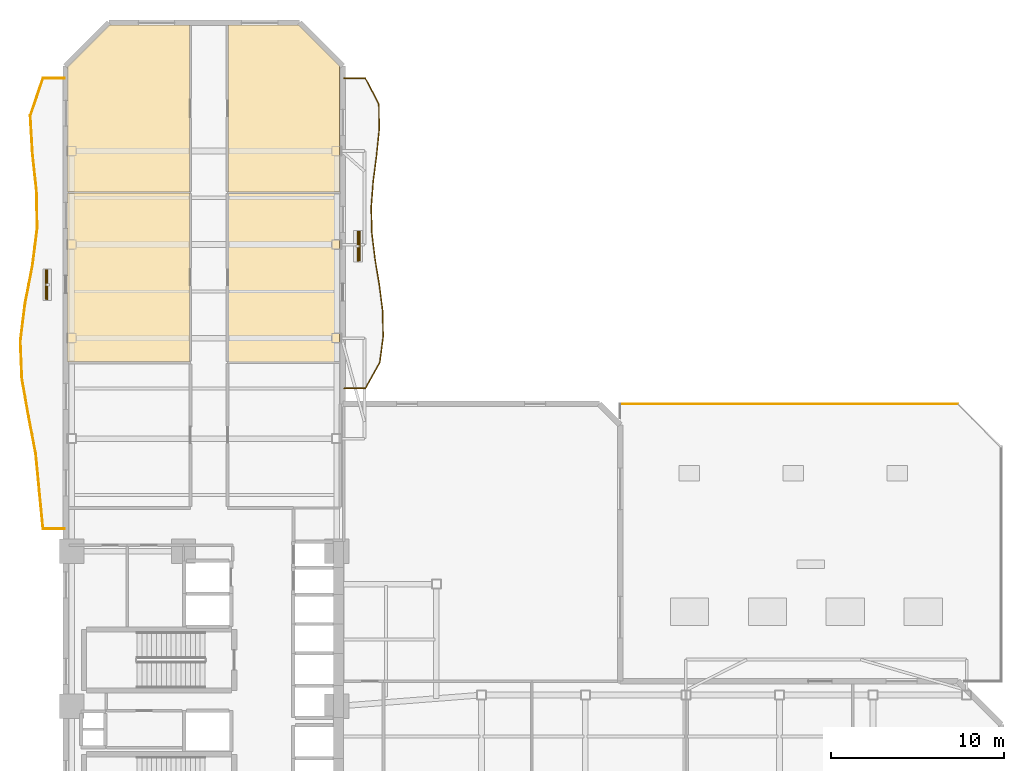
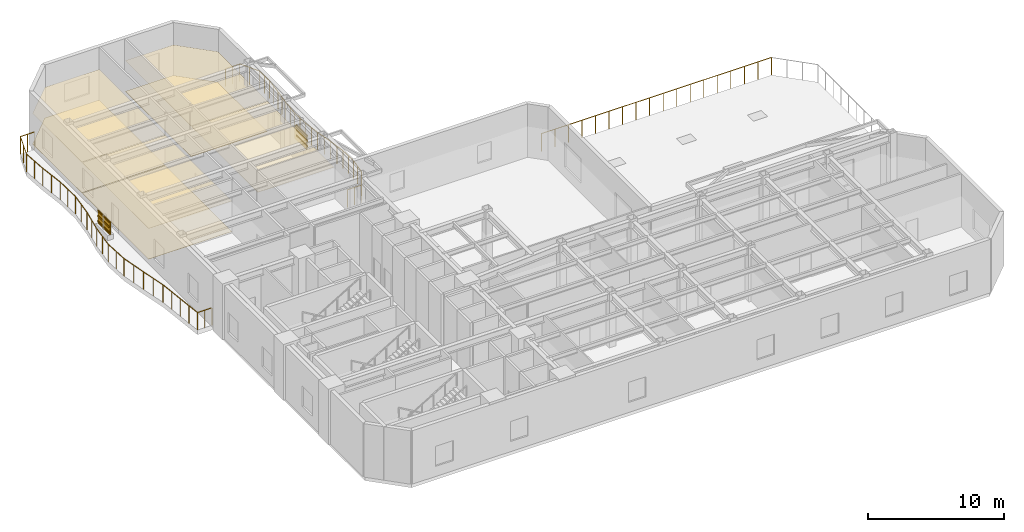
# One storey, part 10 of 10: 8 shading devices, 7 coverings, 3 railings.
"""IFC4 building model written with IfcOpenShell, lengths in metres."""

from ifc_helpers import new_model, si_unit, direction, frame, origin, origin_2d, place, context, subcontext, project, spatial, polyline, rectangle, outline, extrude, material, layer, layer_set, material_profile, profile_set, type_object, element, save


model = new_model("IFC4")

# Units and contexts
model_context = context("Model", 3, precision=1e-05, world=origin(), true_north=direction((0.0, 1.0)))
body_context = subcontext(model_context, "Body", "Model", "MODEL_VIEW")
ifc_project = project(units=[si_unit("LENGTHUNIT", "METRE"), si_unit("AREAUNIT", "SQUARE_METRE"), si_unit("VOLUMEUNIT", "CUBIC_METRE"), si_unit("PLANEANGLEUNIT", "RADIAN"), si_unit("MASSUNIT", "GRAM", prefix="KILO")], contexts=[model_context])

# Site, building, storey
site_placement = place(None, origin())
site = spatial("IfcSite", under=ifc_project, at=site_placement, CompositionType="ELEMENT")
building_placement = place(site_placement, origin())
building = spatial("IfcBuilding", under=site, at=building_placement, Name="Mawjaban Terraces University", CompositionType="ELEMENT")
storey_placement = place(building_placement, frame((0.0, 0.0, 26.0)))
storey = spatial("IfcBuildingStorey", under=building, at=storey_placement, Name="L05", CompositionType="ELEMENT", Elevation=26.0)

# Coverings
ifc_material_1 = material(Name="Acoustic mineral fibre ceiling tile", Category="masonry")
ifc_layer_1 = layer(ifc_material_1, 0.02001953125)
ifc_layer_set_1 = layer_set([ifc_layer_1], Name="Acoustic mineral fibre ceiling tile")
covering_type_1 = type_object("IfcCoveringType", Name="AcousticMineralCeiling_20", PredefinedType="CEILING", material=ifc_layer_set_1)
covering_1_placement = place(storey_placement, frame((0.0, 0.0, 2.75)))
element("IfcCovering", 1, at=covering_1_placement, inside=storey, type_object=covering_type_1, Name="L05 Quiet Reading Room 12 Acoustic Ceiling", PredefinedType="CEILING", context=body_context, shape_type="SweptSolid", body=[
    extrude(outline(polyline([(22.114990234375, 44.169921875), (22.114990234375, 34.429931640625), (29.169921875, 34.429931640625), (29.169921875, 44.169921875), (22.114990234375, 44.169921875)])), origin(), (0.0, 0.0, 1.0), 0.02001953125),
])
covering_2_placement = place(storey_placement, frame((0.0, 0.0, 2.75)))
element("IfcCovering", 2, at=covering_2_placement, inside=storey, type_object=covering_type_1, Name="L05 Collaborative Study Room 13 Acoustic Ceiling", PredefinedType="CEILING", context=body_context, shape_type="SweptSolid", body=[
    extrude(outline(polyline([(37.820068359375, 34.429931640625), (37.820068359375, 44.169921875), (31.3798828125, 44.169921875), (31.3798828125, 34.429931640625), (37.820068359375, 34.429931640625)])), origin(), (0.0, 0.0, 1.0), 0.02001953125),
])
covering_3_placement = place(storey_placement, frame((0.0, 0.0, 2.75)))
element("IfcCovering", 3, at=covering_3_placement, inside=storey, type_object=covering_type_1, Name="L05 Classroom 14 Acoustic Ceiling", PredefinedType="CEILING", context=body_context, shape_type="SweptSolid", body=[
    extrude(outline(polyline([(29.169921875, 53.885009765625), (24.547119140625, 53.885009765625), (22.114990234375, 51.452880859375), (22.114990234375, 44.22998046875), (29.169921875, 44.22998046875), (29.169921875, 53.885009765625)])), origin(), (0.0, 0.0, 1.0), 0.02001953125),
])
covering_4_placement = place(storey_placement, frame((0.0, 0.0, 2.75)))
element("IfcCovering", 4, at=covering_4_placement, inside=storey, type_object=covering_type_1, Name="L05 Seminar Room 15 Acoustic Ceiling", PredefinedType="CEILING", context=body_context, shape_type="SweptSolid", body=[
    extrude(outline(polyline([(37.820068359375, 51.51806640625), (35.452880859375, 53.885009765625), (31.3798828125, 53.885009765625), (31.3798828125, 44.22998046875), (37.820068359375, 44.22998046875), (37.820068359375, 51.51806640625)])), origin(), (0.0, 0.0, 1.0), 0.02001953125),
])

# Railings
ifc_material_2 = material(Name="Galvanised powder-coated steel S355", Category="steel")
railing_type = type_object("IfcRailingType", Name="BalconyBalustrade_1600", PredefinedType="BALUSTRADE", material=ifc_material_2)
railing_1_placement = place(storey_placement, frame((21.919921875, 24.800048828125, 0.0)))
element("IfcRailing", 5, at=railing_1_placement, inside=storey, type_object=railing_type, Name="L05 Balcony Guardrail west", PredefinedType="BALUSTRADE", context=body_context, shape_type="SweptSolid", body=[
    extrude(rectangle(XDim=0.048095703125, YDim=0.048095703125, at=origin_2d()), frame((0.0, 0.0, 1.576171875), z_axis=(-1.0, 0.0, 0.0), x_axis=(0.0, -1.0, 0.0)), (0.0, 0.0, 1.0), 1.219970703125),
    extrude(rectangle(XDim=0.048095703125, YDim=0.048095703125, at=origin_2d()), frame((-1.219970703125, 0.0, 1.576171875), z_axis=(-0.096883228076, 0.995295755099, 0.0), x_axis=(-0.995295755099, -0.096883228076, 0.0)), (0.0, 0.0, 1.0), 2.17724609375),
    extrude(rectangle(XDim=0.048095703125, YDim=0.048095703125, at=origin_2d()), frame((-1.430908203125, 2.1669921875, 1.576171875), z_axis=(-0.096037346488, 0.995377731356, 0.0), x_axis=(-0.995377731356, -0.096037346488, 0.0)), (0.0, 0.0, 1.0), 2.176025390625),
    extrude(rectangle(XDim=0.048095703125, YDim=0.048095703125, at=origin_2d()), frame((-1.639892578125, 4.3330078125, 1.576171875), z_axis=(-0.188108607076, 0.982148233183, 0.0), x_axis=(-0.982148233183, -0.188108607076, 0.0)), (0.0, 0.0, 1.0), 2.206298828125),
    extrude(rectangle(XDim=0.048095703125, YDim=0.048095703125, at=origin_2d()), frame((-2.054931640625, 6.5, 1.576171875), z_axis=(-0.174500407925, 0.984657101551, 0.0), x_axis=(-0.984657101551, -0.174500407925, 0.0)), (0.0, 0.0, 1.0), 2.20068359375),
    extrude(rectangle(XDim=0.048095703125, YDim=0.048095703125, at=origin_2d()), frame((-2.43896484375, 8.6669921875, 1.576171875), z_axis=(-0.040543732568, 0.999177764839, 0.0), x_axis=(-0.999177764839, -0.040543732568, 0.0)), (0.0, 0.0, 1.0), 2.167724609375),
    extrude(rectangle(XDim=0.048095703125, YDim=0.048095703125, at=origin_2d()), frame((-2.52685546875, 10.8330078125, 1.576171875), z_axis=(0.123649449448, 0.992325961391, 0.0), x_axis=(-0.992325961391, 0.123649449448, 0.0)), (0.0, 0.0, 1.0), 2.183837890625),
    extrude(rectangle(XDim=0.048095703125, YDim=0.048095703125, at=origin_2d()), frame((-2.2568359375, 13.0, 1.576171875), z_axis=(0.192372709266, 0.981321935315, 0.0), x_axis=(-0.981321935315, 0.192372709266, 0.0)), (0.0, 0.0, 1.0), 2.208251953125),
    extrude(rectangle(XDim=0.048095703125, YDim=0.048095703125, at=origin_2d()), frame((-1.83203125, 15.1669921875, 1.576171875), z_axis=(0.126016204068, 0.992028183225, 0.0), x_axis=(-0.992028183225, 0.126016204068, 0.0)), (0.0, 0.0, 1.0), 2.183349609375),
    extrude(rectangle(XDim=0.048095703125, YDim=0.048095703125, at=origin_2d()), frame((-1.556884765625, 17.3330078125, 1.576171875), z_axis=(-0.017572770568, 0.999845586946, 0.0), x_axis=(-0.999845586946, -0.017572770568, 0.0)), (0.0, 0.0, 1.0), 2.167236328125),
    extrude(rectangle(XDim=0.048095703125, YDim=0.048095703125, at=origin_2d()), frame((-1.594970703125, 19.5, 1.576171875), z_axis=(-0.107751142086, 0.994177897249, 0.0), x_axis=(-0.994177897249, -0.107751142086, 0.0)), (0.0, 0.0, 1.0), 2.1796875),
    extrude(rectangle(XDim=0.048095703125, YDim=0.048095703125, at=origin_2d()), frame((-1.829833984375, 21.6669921875, 1.576171875), z_axis=(-0.057165158423, 0.998364735286, 0.0), x_axis=(-0.998364735286, -0.057165158423, 0.0)), (0.0, 0.0, 1.0), 2.169677734375),
    extrude(rectangle(XDim=0.048095703125, YDim=0.048095703125, at=origin_2d()), frame((-1.953857421875, 23.8330078125, 1.576171875), z_axis=(0.32076997758, 0.94715712608, 0.0), x_axis=(-0.94715712608, 0.32076997758, 0.0)), (0.0, 0.0, 1.0), 2.287841796875),
    extrude(rectangle(XDim=0.048095703125, YDim=0.048095703125, at=origin_2d()), frame((-1.219970703125, 26.0, 1.576171875), z_axis=(1.0, 0.0, 0.0), x_axis=(0.0, 1.0, 0.0)), (0.0, 0.0, 1.0), 1.219970703125),
    extrude(rectangle(XDim=0.0419921875, YDim=0.0419921875, at=origin_2d()), origin(), (0.0, 0.0, 1.0), 1.552001953125),
    extrude(rectangle(XDim=0.0419921875, YDim=0.0419921875, at=origin_2d()), frame((-0.60986328125, 0.0, 0.0)), (0.0, 0.0, 1.0), 1.552001953125),
    extrude(rectangle(XDim=0.0419921875, YDim=0.0419921875, at=origin_2d()), frame((-1.219970703125, 0.0, 0.0)), (0.0, 0.0, 1.0), 1.552001953125),
    extrude(rectangle(XDim=0.0419921875, YDim=0.0419921875, at=origin_2d()), frame((-1.325439453125, 1.08349609375, 0.0)), (0.0, 0.0, 1.0), 1.552001953125),
    extrude(rectangle(XDim=0.0419921875, YDim=0.0419921875, at=origin_2d()), frame((-1.430908203125, 2.1669921875, 0.0)), (0.0, 0.0, 1.0), 1.552001953125),
    extrude(rectangle(XDim=0.0419921875, YDim=0.0419921875, at=origin_2d()), frame((-1.535400390625, 3.25, 0.0)), (0.0, 0.0, 1.0), 1.552001953125),
    extrude(rectangle(XDim=0.0419921875, YDim=0.0419921875, at=origin_2d()), frame((-1.639892578125, 4.3330078125, 0.0)), (0.0, 0.0, 1.0), 1.552001953125),
    extrude(rectangle(XDim=0.0419921875, YDim=0.0419921875, at=origin_2d()), frame((-1.847412109375, 5.41650390625, 0.0)), (0.0, 0.0, 1.0), 1.552001953125),
    extrude(rectangle(XDim=0.0419921875, YDim=0.0419921875, at=origin_2d()), frame((-2.054931640625, 6.5, 0.0)), (0.0, 0.0, 1.0), 1.552001953125),
    extrude(rectangle(XDim=0.0419921875, YDim=0.0419921875, at=origin_2d()), frame((-2.2470703125, 7.58349609375, 0.0)), (0.0, 0.0, 1.0), 1.552001953125),
    extrude(rectangle(XDim=0.0419921875, YDim=0.0419921875, at=origin_2d()), frame((-2.43896484375, 8.6669921875, 0.0)), (0.0, 0.0, 1.0), 1.552001953125),
    extrude(rectangle(XDim=0.0419921875, YDim=0.0419921875, at=origin_2d()), frame((-2.48291015625, 9.75, 0.0)), (0.0, 0.0, 1.0), 1.552001953125),
    extrude(rectangle(XDim=0.0419921875, YDim=0.0419921875, at=origin_2d()), frame((-2.52685546875, 10.8330078125, 0.0)), (0.0, 0.0, 1.0), 1.552001953125),
    extrude(rectangle(XDim=0.0419921875, YDim=0.0419921875, at=origin_2d()), frame((-2.391845703125, 11.91650390625, 0.0)), (0.0, 0.0, 1.0), 1.552001953125),
    extrude(rectangle(XDim=0.0419921875, YDim=0.0419921875, at=origin_2d()), frame((-2.2568359375, 13.0, 0.0)), (0.0, 0.0, 1.0), 1.552001953125),
    extrude(rectangle(XDim=0.0419921875, YDim=0.0419921875, at=origin_2d()), frame((-2.04443359375, 14.08349609375, 0.0)), (0.0, 0.0, 1.0), 1.552001953125),
    extrude(rectangle(XDim=0.0419921875, YDim=0.0419921875, at=origin_2d()), frame((-1.83203125, 15.1669921875, 0.0)), (0.0, 0.0, 1.0), 1.552001953125),
    extrude(rectangle(XDim=0.0419921875, YDim=0.0419921875, at=origin_2d()), frame((-1.6943359375, 16.25, 0.0)), (0.0, 0.0, 1.0), 1.552001953125),
    extrude(rectangle(XDim=0.0419921875, YDim=0.0419921875, at=origin_2d()), frame((-1.556884765625, 17.3330078125, 0.0)), (0.0, 0.0, 1.0), 1.552001953125),
    extrude(rectangle(XDim=0.0419921875, YDim=0.0419921875, at=origin_2d()), frame((-1.575927734375, 18.41650390625, 0.0)), (0.0, 0.0, 1.0), 1.552001953125),
    extrude(rectangle(XDim=0.0419921875, YDim=0.0419921875, at=origin_2d()), frame((-1.594970703125, 19.5, 0.0)), (0.0, 0.0, 1.0), 1.552001953125),
    extrude(rectangle(XDim=0.0419921875, YDim=0.0419921875, at=origin_2d()), frame((-1.71240234375, 20.58349609375, 0.0)), (0.0, 0.0, 1.0), 1.552001953125),
    extrude(rectangle(XDim=0.0419921875, YDim=0.0419921875, at=origin_2d()), frame((-1.829833984375, 21.6669921875, 0.0)), (0.0, 0.0, 1.0), 1.552001953125),
    extrude(rectangle(XDim=0.0419921875, YDim=0.0419921875, at=origin_2d()), frame((-1.891845703125, 22.75, 0.0)), (0.0, 0.0, 1.0), 1.552001953125),
    extrude(rectangle(XDim=0.0419921875, YDim=0.0419921875, at=origin_2d()), frame((-1.953857421875, 23.8330078125, 0.0)), (0.0, 0.0, 1.0), 1.552001953125),
    extrude(rectangle(XDim=0.0419921875, YDim=0.0419921875, at=origin_2d()), frame((-1.5869140625, 24.91650390625, 0.0)), (0.0, 0.0, 1.0), 1.552001953125),
    extrude(rectangle(XDim=0.0419921875, YDim=0.0419921875, at=origin_2d()), frame((-1.219970703125, 26.0, 0.0)), (0.0, 0.0, 1.0), 1.552001953125),
    extrude(rectangle(XDim=0.0419921875, YDim=0.0419921875, at=origin_2d()), frame((-0.60986328125, 26.0, 0.0)), (0.0, 0.0, 1.0), 1.552001953125),
    extrude(rectangle(XDim=0.0419921875, YDim=0.0419921875, at=origin_2d()), frame((0.0, 26.0, 0.0)), (0.0, 0.0, 1.0), 1.552001953125),
])
railing_2_placement = place(storey_placement, frame((38.080078125, 32.89990234375, 0.0)))
element("IfcRailing", 6, at=railing_2_placement, inside=storey, type_object=railing_type, Name="L05 Balcony Guardrail inner_east", PredefinedType="BALUSTRADE", context=body_context, shape_type="SweptSolid", body=[
    extrude(rectangle(XDim=0.048095703125, YDim=0.048095703125, at=origin_2d()), frame((0.0, 0.0, 1.576171875), z_axis=(1.0, 0.0, 0.0), x_axis=(0.0, 1.0, 0.0)), (0.0, 0.0, 1.0), 1.219970703125),
    extrude(rectangle(XDim=0.048095703125, YDim=0.048095703125, at=origin_2d()), frame((1.219970703125, 0.0, 1.576171875), z_axis=(0.488307694052, 0.872671528084, 0.0), x_axis=(-0.872671528084, 0.488307694052, 0.0)), (0.0, 0.0, 1.0), 1.7099609375),
    extrude(rectangle(XDim=0.048095703125, YDim=0.048095703125, at=origin_2d()), frame((2.054931640625, 1.4921875, 1.576171875), z_axis=(0.12972787913, 0.991549634348, 0.0), x_axis=(-0.991549634348, 0.12972787913, 0.0)), (0.0, 0.0, 1.0), 1.503662109375),
    extrude(rectangle(XDim=0.048095703125, YDim=0.048095703125, at=origin_2d()), frame((2.25, 2.983154296875, 1.576171875), z_axis=(-0.02012356285, 0.999797500606, 0.0), x_axis=(-0.999797500606, -0.02012356285, 0.0)), (0.0, 0.0, 1.0), 1.4921875),
    extrude(rectangle(XDim=0.048095703125, YDim=0.048095703125, at=origin_2d()), frame((2.219970703125, 4.47509765625, 1.576171875), z_axis=(-0.127090613623, 0.991891110923, 0.0), x_axis=(-0.991891110923, -0.127090613623, 0.0)), (0.0, 0.0, 1.0), 1.504150390625),
    extrude(rectangle(XDim=0.048095703125, YDim=0.048095703125, at=origin_2d()), frame((2.02880859375, 5.967041015625, 1.576171875), z_axis=(-0.162695761882, 0.986676283826, 0.0), x_axis=(-0.986676283826, -0.162695761882, 0.0)), (0.0, 0.0, 1.0), 1.510986328125),
    extrude(rectangle(XDim=0.048095703125, YDim=0.048095703125, at=origin_2d()), frame((1.782958984375, 7.4580078125, 1.576171875), z_axis=(-0.121795873267, 0.99255516988, 0.0), x_axis=(-0.99255516988, -0.121795873267, 0.0)), (0.0, 0.0, 1.0), 1.50341796875),
    extrude(rectangle(XDim=0.048095703125, YDim=0.048095703125, at=origin_2d()), frame((1.599853515625, 8.9501953125, 1.576171875), z_axis=(-0.026009852424, 0.99966168656, 0.0), x_axis=(-0.99966168656, -0.026009852424, 0.0)), (0.0, 0.0, 1.0), 1.492431640625),
    extrude(rectangle(XDim=0.048095703125, YDim=0.048095703125, at=origin_2d()), frame((1.56103515625, 10.442138671875, 1.576171875), z_axis=(0.074785888876, 0.997199614333, 0.0), x_axis=(-0.997199614333, 0.074785888876, 0.0)), (0.0, 0.0, 1.0), 1.4951171875),
    extrude(rectangle(XDim=0.048095703125, YDim=0.048095703125, at=origin_2d()), frame((1.6728515625, 11.93310546875, 1.576171875), z_axis=(0.129006187528, 0.991643788656, 0.0), x_axis=(-0.991643788656, 0.129006187528, 0.0)), (0.0, 0.0, 1.0), 1.50439453125),
    extrude(rectangle(XDim=0.048095703125, YDim=0.048095703125, at=origin_2d()), frame((1.866943359375, 13.425048828125, 1.576171875), z_axis=(0.103354493682, 0.994644584078, 0.0), x_axis=(-0.994644584078, 0.103354493682, 0.0)), (0.0, 0.0, 1.0), 1.5),
    extrude(rectangle(XDim=0.048095703125, YDim=0.048095703125, at=origin_2d()), frame((2.02197265625, 14.9169921875, 1.576171875), z_axis=(-0.013423806733, 0.999909896647, 0.0), x_axis=(-0.999909896647, -0.013423806733, 0.0)), (0.0, 0.0, 1.0), 1.491455078125),
    extrude(rectangle(XDim=0.048095703125, YDim=0.048095703125, at=origin_2d()), frame((2.001953125, 16.408203125, 1.576171875), z_axis=(-0.464234443383, 0.885712358262, 0.0), x_axis=(-0.885712358262, -0.464234443383, 0.0)), (0.0, 0.0, 1.0), 1.6845703125),
    extrude(rectangle(XDim=0.048095703125, YDim=0.048095703125, at=origin_2d()), frame((1.219970703125, 17.900146484375, 1.576171875), z_axis=(-1.0, 0.0, 0.0), x_axis=(0.0, -1.0, 0.0)), (0.0, 0.0, 1.0), 1.219970703125),
    extrude(rectangle(XDim=0.0419921875, YDim=0.0419921875, at=origin_2d()), origin(), (0.0, 0.0, 1.0), 1.552001953125),
    extrude(rectangle(XDim=0.0419921875, YDim=0.0419921875, at=origin_2d()), frame((0.60986328125, 0.0, 0.0)), (0.0, 0.0, 1.0), 1.552001953125),
    extrude(rectangle(XDim=0.0419921875, YDim=0.0419921875, at=origin_2d()), frame((1.219970703125, 0.0, 0.0)), (0.0, 0.0, 1.0), 1.552001953125),
    extrude(rectangle(XDim=0.0419921875, YDim=0.0419921875, at=origin_2d()), frame((1.637451171875, 0.74609375, 0.0)), (0.0, 0.0, 1.0), 1.552001953125),
    extrude(rectangle(XDim=0.0419921875, YDim=0.0419921875, at=origin_2d()), frame((2.054931640625, 1.4921875, 0.0)), (0.0, 0.0, 1.0), 1.552001953125),
    extrude(rectangle(XDim=0.0419921875, YDim=0.0419921875, at=origin_2d()), frame((2.15234375, 2.23779296875, 0.0)), (0.0, 0.0, 1.0), 1.552001953125),
    extrude(rectangle(XDim=0.0419921875, YDim=0.0419921875, at=origin_2d()), frame((2.25, 2.983154296875, 0.0)), (0.0, 0.0, 1.0), 1.552001953125),
    extrude(rectangle(XDim=0.0419921875, YDim=0.0419921875, at=origin_2d()), frame((2.23486328125, 3.72900390625, 0.0)), (0.0, 0.0, 1.0), 1.552001953125),
    extrude(rectangle(XDim=0.0419921875, YDim=0.0419921875, at=origin_2d()), frame((2.219970703125, 4.47509765625, 0.0)), (0.0, 0.0, 1.0), 1.552001953125),
    extrude(rectangle(XDim=0.0419921875, YDim=0.0419921875, at=origin_2d()), frame((2.12451171875, 5.22119140625, 0.0)), (0.0, 0.0, 1.0), 1.552001953125),
    extrude(rectangle(XDim=0.0419921875, YDim=0.0419921875, at=origin_2d()), frame((2.02880859375, 5.967041015625, 0.0)), (0.0, 0.0, 1.0), 1.552001953125),
    extrude(rectangle(XDim=0.0419921875, YDim=0.0419921875, at=origin_2d()), frame((1.90576171875, 6.71240234375, 0.0)), (0.0, 0.0, 1.0), 1.552001953125),
    extrude(rectangle(XDim=0.0419921875, YDim=0.0419921875, at=origin_2d()), frame((1.782958984375, 7.4580078125, 0.0)), (0.0, 0.0, 1.0), 1.552001953125),
    extrude(rectangle(XDim=0.0419921875, YDim=0.0419921875, at=origin_2d()), frame((1.69140625, 8.2041015625, 0.0)), (0.0, 0.0, 1.0), 1.552001953125),
    extrude(rectangle(XDim=0.0419921875, YDim=0.0419921875, at=origin_2d()), frame((1.599853515625, 8.9501953125, 0.0)), (0.0, 0.0, 1.0), 1.552001953125),
    extrude(rectangle(XDim=0.0419921875, YDim=0.0419921875, at=origin_2d()), frame((1.58056640625, 9.6962890625, 0.0)), (0.0, 0.0, 1.0), 1.552001953125),
    extrude(rectangle(XDim=0.0419921875, YDim=0.0419921875, at=origin_2d()), frame((1.56103515625, 10.442138671875, 0.0)), (0.0, 0.0, 1.0), 1.552001953125),
    extrude(rectangle(XDim=0.0419921875, YDim=0.0419921875, at=origin_2d()), frame((1.616943359375, 11.1875, 0.0)), (0.0, 0.0, 1.0), 1.552001953125),
    extrude(rectangle(XDim=0.0419921875, YDim=0.0419921875, at=origin_2d()), frame((1.6728515625, 11.93310546875, 0.0)), (0.0, 0.0, 1.0), 1.552001953125),
    extrude(rectangle(XDim=0.0419921875, YDim=0.0419921875, at=origin_2d()), frame((1.77001953125, 12.67919921875, 0.0)), (0.0, 0.0, 1.0), 1.552001953125),
    extrude(rectangle(XDim=0.0419921875, YDim=0.0419921875, at=origin_2d()), frame((1.866943359375, 13.425048828125, 0.0)), (0.0, 0.0, 1.0), 1.552001953125),
    extrude(rectangle(XDim=0.0419921875, YDim=0.0419921875, at=origin_2d()), frame((1.9443359375, 14.1708984375, 0.0)), (0.0, 0.0, 1.0), 1.552001953125),
    extrude(rectangle(XDim=0.0419921875, YDim=0.0419921875, at=origin_2d()), frame((2.02197265625, 14.9169921875, 0.0)), (0.0, 0.0, 1.0), 1.552001953125),
    extrude(rectangle(XDim=0.0419921875, YDim=0.0419921875, at=origin_2d()), frame((2.011962890625, 15.66259765625, 0.0)), (0.0, 0.0, 1.0), 1.552001953125),
    extrude(rectangle(XDim=0.0419921875, YDim=0.0419921875, at=origin_2d()), frame((2.001953125, 16.408203125, 0.0)), (0.0, 0.0, 1.0), 1.552001953125),
    extrude(rectangle(XDim=0.0419921875, YDim=0.0419921875, at=origin_2d()), frame((1.61083984375, 17.154296875, 0.0)), (0.0, 0.0, 1.0), 1.552001953125),
    extrude(rectangle(XDim=0.0419921875, YDim=0.0419921875, at=origin_2d()), frame((1.219970703125, 17.900146484375, 0.0)), (0.0, 0.0, 1.0), 1.552001953125),
    extrude(rectangle(XDim=0.0419921875, YDim=0.0419921875, at=origin_2d()), frame((0.60986328125, 17.900146484375, 0.0)), (0.0, 0.0, 1.0), 1.552001953125),
    extrude(rectangle(XDim=0.0419921875, YDim=0.0419921875, at=origin_2d()), frame((0.0, 17.900146484375, 0.0)), (0.0, 0.0, 1.0), 1.552001953125),
])
railing_3_placement = place(storey_placement, frame((73.5, 32.0, 0.0)))
element("IfcRailing", 7, at=railing_3_placement, inside=storey, type_object=railing_type, Name="L05 Terrace Guardrail TER-L05-POD.4", PredefinedType="BALUSTRADE", context=body_context, shape_type="SweptSolid", body=[
    extrude(rectangle(XDim=0.048095703125, YDim=0.048095703125, at=origin_2d()), frame((0.0, 0.0, 1.576171875), z_axis=(-1.0, 0.0, 0.0), x_axis=(0.0, -1.0, 0.0)), (0.0, 0.0, 1.0), 19.5),
    extrude(rectangle(XDim=0.0419921875, YDim=0.0419921875, at=origin_2d()), origin(), (0.0, 0.0, 1.0), 1.552001953125),
    extrude(rectangle(XDim=0.0419921875, YDim=0.0419921875, at=origin_2d()), frame((-1.14697265625, 0.0, 0.0)), (0.0, 0.0, 1.0), 1.552001953125),
    extrude(rectangle(XDim=0.0419921875, YDim=0.0419921875, at=origin_2d()), frame((-2.294189453125, 0.0, 0.0)), (0.0, 0.0, 1.0), 1.552001953125),
    extrude(rectangle(XDim=0.0419921875, YDim=0.0419921875, at=origin_2d()), frame((-3.441162109375, 0.0, 0.0)), (0.0, 0.0, 1.0), 1.552001953125),
    extrude(rectangle(XDim=0.0419921875, YDim=0.0419921875, at=origin_2d()), frame((-4.588134765625, 0.0, 0.0)), (0.0, 0.0, 1.0), 1.552001953125),
    extrude(rectangle(XDim=0.0419921875, YDim=0.0419921875, at=origin_2d()), frame((-5.7353515625, 0.0, 0.0)), (0.0, 0.0, 1.0), 1.552001953125),
    extrude(rectangle(XDim=0.0419921875, YDim=0.0419921875, at=origin_2d()), frame((-6.88232421875, 0.0, 0.0)), (0.0, 0.0, 1.0), 1.552001953125),
    extrude(rectangle(XDim=0.0419921875, YDim=0.0419921875, at=origin_2d()), frame((-8.029296875, 0.0, 0.0)), (0.0, 0.0, 1.0), 1.552001953125),
    extrude(rectangle(XDim=0.0419921875, YDim=0.0419921875, at=origin_2d()), frame((-9.176513671875, 0.0, 0.0)), (0.0, 0.0, 1.0), 1.552001953125),
    extrude(rectangle(XDim=0.0419921875, YDim=0.0419921875, at=origin_2d()), frame((-10.323486328125, 0.0, 0.0)), (0.0, 0.0, 1.0), 1.552001953125),
    extrude(rectangle(XDim=0.0419921875, YDim=0.0419921875, at=origin_2d()), frame((-11.470703125, 0.0, 0.0)), (0.0, 0.0, 1.0), 1.552001953125),
    extrude(rectangle(XDim=0.0419921875, YDim=0.0419921875, at=origin_2d()), frame((-12.61767578125, 0.0, 0.0)), (0.0, 0.0, 1.0), 1.552001953125),
    extrude(rectangle(XDim=0.0419921875, YDim=0.0419921875, at=origin_2d()), frame((-13.7646484375, 0.0, 0.0)), (0.0, 0.0, 1.0), 1.552001953125),
    extrude(rectangle(XDim=0.0419921875, YDim=0.0419921875, at=origin_2d()), frame((-14.911865234375, 0.0, 0.0)), (0.0, 0.0, 1.0), 1.552001953125),
    extrude(rectangle(XDim=0.0419921875, YDim=0.0419921875, at=origin_2d()), frame((-16.058837890625, 0.0, 0.0)), (0.0, 0.0, 1.0), 1.552001953125),
    extrude(rectangle(XDim=0.0419921875, YDim=0.0419921875, at=origin_2d()), frame((-17.205810546875, 0.0, 0.0)), (0.0, 0.0, 1.0), 1.552001953125),
    extrude(rectangle(XDim=0.0419921875, YDim=0.0419921875, at=origin_2d()), frame((-18.35302734375, 0.0, 0.0)), (0.0, 0.0, 1.0), 1.552001953125),
    extrude(rectangle(XDim=0.0419921875, YDim=0.0419921875, at=origin_2d()), frame((-19.5, 0.0, 0.0)), (0.0, 0.0, 1.0), 1.552001953125),
])

# Shading devices
ifc_material_3 = material(Name="Glazed architectural terracotta ceramic", Category="masonry")
ifc_material_profile = material_profile(ifc_material_3, rectangle(XDim=0.06494140625, YDim=0.110107421875, at=origin_2d()), Name="TBAG110X65")
ifc_profile_set = profile_set([ifc_material_profile], Name="Glazed architectural terracotta ceramic")
shading_device_type_1 = type_object("IfcShadingDeviceType", Name="TerracottaBaguette_110x65", PredefinedType="USERDEFINED", material=ifc_profile_set)
for number, where, z_axis, x_axis, name in (
    (8, (20.85791015625, 38.032958984375, 0.679931640625), (0.0, 1.0, 0.0), (-1.0, 0.0, 0.0), "L05 Horizontal Terracotta Baguette west.1"),
    (9, (20.85791015625, 38.032958984375, 1.14990234375), (0.0, 1.0, 0.0), (-1.0, 0.0, 0.0), "L05 Horizontal Terracotta Baguette west.2"),
    (10, (20.85791015625, 38.032958984375, 1.6201171875), (0.0, 1.0, 0.0), (-1.0, 0.0, 0.0), "L05 Horizontal Terracotta Baguette west.3"),
):
    element("IfcShadingDevice", number, at=place(storey_placement, frame(where, z_axis=z_axis, x_axis=x_axis)), inside=storey, type_object=shading_device_type_1, Name=name, ObjectType="BAGUETTE", PredefinedType="USERDEFINED", context=body_context, shape_type="SweptSolid", body=[
        extrude(rectangle(XDim=0.06494140625, YDim=0.110107421875, at=origin_2d()), origin(), (0.0, 0.0, 1.0), 1.699951171875),
    ])
for number, where, z_axis, x_axis, name in (
    (11, (38.966064453125, 40.25390625, 0.679931640625), (0.0, 1.0, 0.0), (-1.0, 0.0, 0.0), "L05 Horizontal Terracotta Baguette inner_east.1"),
    (12, (38.966064453125, 40.25390625, 1.14990234375), (0.0, 1.0, 0.0), (-1.0, 0.0, 0.0), "L05 Horizontal Terracotta Baguette inner_east.2"),
    (13, (38.966064453125, 40.25390625, 1.6201171875), (0.0, 1.0, 0.0), (-1.0, 0.0, 0.0), "L05 Horizontal Terracotta Baguette inner_east.3"),
):
    element("IfcShadingDevice", number, at=place(storey_placement, frame(where, z_axis=z_axis, x_axis=x_axis)), inside=storey, type_object=shading_device_type_1, Name=name, ObjectType="BAGUETTE", PredefinedType="USERDEFINED", context=body_context, shape_type="SweptSolid", body=[
        extrude(rectangle(XDim=0.06494140625, YDim=0.110107421875, at=origin_2d()), origin(), (0.0, 0.0, 1.0), 1.7001953125),
    ])
ifc_layer_2 = layer(ifc_material_3, 0.080078125)
ifc_layer_set_2 = layer_set([ifc_layer_2], Name="Glazed architectural terracotta ceramic")
shading_device_type_2 = type_object("IfcShadingDeviceType", Name="TerracottaScreen_Perforated", PredefinedType="USERDEFINED", material=ifc_layer_set_2)
for number, where, z_axis, x_axis, name in (
    (14, (20.943115234375, 38.883056640625, 0.43994140625), (0.0, 0.0, 1.0), (0.0, 1.0, 0.0), "L05 Balcony Perforated Terracotta Screen west"),
    (15, (38.881103515625, 41.10400390625, 0.43994140625), (0.0, 0.0, 1.0), (0.0, 1.0, 0.0), "L05 Balcony Perforated Terracotta Screen inner_east"),
):
    element("IfcShadingDevice", number, at=place(storey_placement, frame(where, z_axis=z_axis, x_axis=x_axis)), inside=storey, type_object=shading_device_type_2, Name=name, ObjectType="SCREEN", PredefinedType="USERDEFINED", context=body_context, shape_type="SweptSolid", body=[
        extrude(rectangle(XDim=1.75, YDim=0.080078125, at=origin_2d()), origin(), (0.0, 0.0, 1.0), 1.14990234375),
    ])

# Coverings
ifc_material_4 = material(Name="Polished Hijazi granite terrazzo flooring", Category="masonry")
ifc_layer_3 = layer(ifc_material_4, 0.02490234375)
ifc_layer_set_3 = layer_set([ifc_layer_3], Name="Polished Hijazi granite terrazzo flooring")
covering_type_2 = type_object("IfcCoveringType", Name="TerrazzoConcourseFlooring_25", PredefinedType="FLOORING", material=ifc_layer_set_3)
covering_5_placement = place(storey_placement, origin())
element("IfcCovering", 16, at=covering_5_placement, inside=storey, type_object=covering_type_2, Name="L05 Quiet Reading Room 12 Terrazzo Flooring", PredefinedType="FLOORING", context=body_context, shape_type="SweptSolid", body=[
    extrude(outline(polyline([(22.114990234375, 44.169921875), (22.114990234375, 34.429931640625), (29.169921875, 34.429931640625), (29.169921875, 44.169921875), (22.114990234375, 44.169921875)])), origin(), (0.0, 0.0, 1.0), 0.02490234375),
])
covering_6_placement = place(storey_placement, origin())
element("IfcCovering", 17, at=covering_6_placement, inside=storey, type_object=covering_type_2, Name="L05 Classroom 14 Terrazzo Flooring", PredefinedType="FLOORING", context=body_context, shape_type="SweptSolid", body=[
    extrude(outline(polyline([(29.169921875, 53.885009765625), (24.547119140625, 53.885009765625), (22.114990234375, 51.452880859375), (22.114990234375, 44.22998046875), (29.169921875, 44.22998046875), (29.169921875, 53.885009765625)])), origin(), (0.0, 0.0, 1.0), 0.02490234375),
])
covering_7_placement = place(storey_placement, origin())
element("IfcCovering", 18, at=covering_7_placement, inside=storey, type_object=covering_type_2, Name="L05 Seminar Room 15 Terrazzo Flooring", PredefinedType="FLOORING", context=body_context, shape_type="SweptSolid", body=[
    extrude(outline(polyline([(37.820068359375, 51.51806640625), (35.452880859375, 53.885009765625), (31.3798828125, 53.885009765625), (31.3798828125, 44.22998046875), (37.820068359375, 44.22998046875), (37.820068359375, 51.51806640625)])), origin(), (0.0, 0.0, 1.0), 0.02490234375),
])

save(model, "model.ifc")
